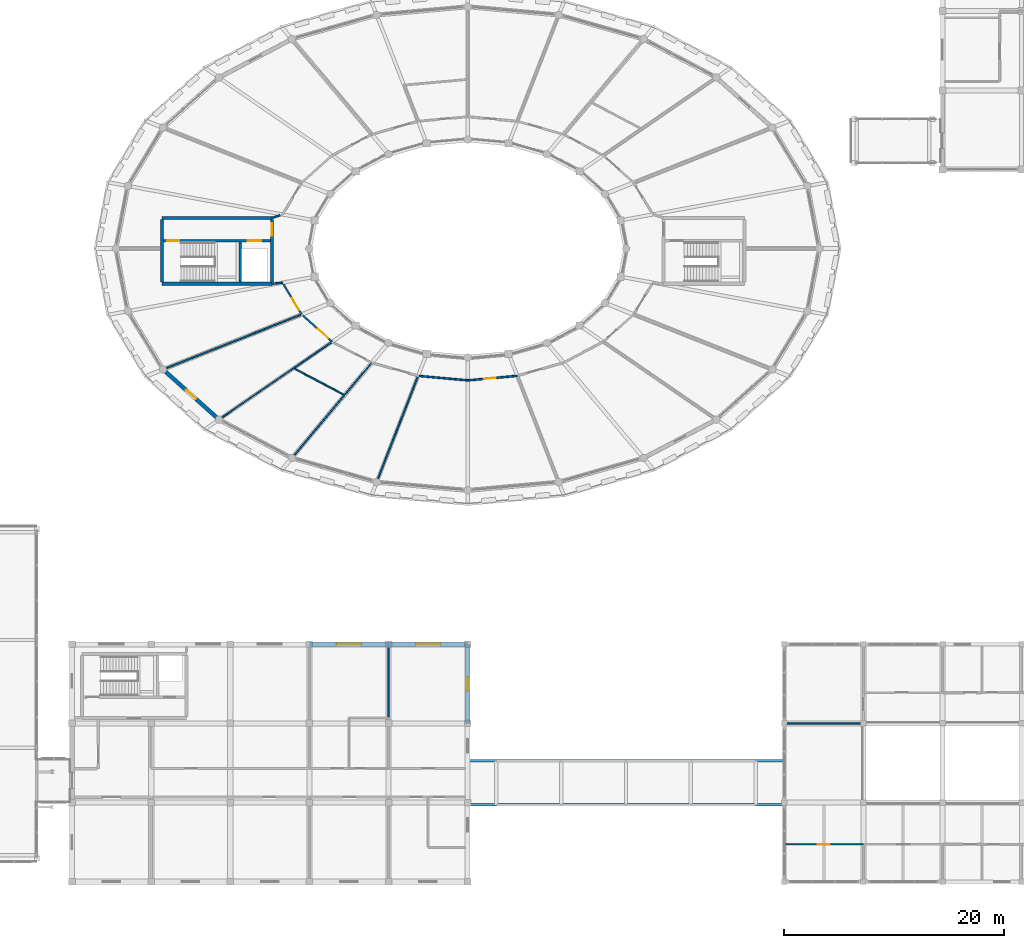
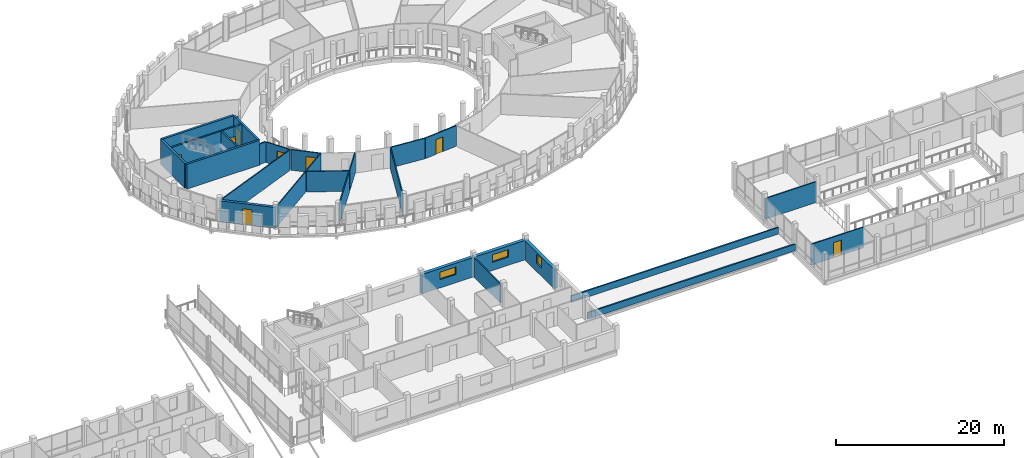
# One storey, part 111 of 128: 28 walls, 8 doors, 3 windows, 11 openings.
"""IFC4 building model written with IfcOpenShell, lengths in metres."""

from ifc_helpers import new_model, si_unit, direction, frame, frame_2d, origin, place, context, subcontext, project, spatial, rectangle, extrude, material, layer, layer_set, type_object, element, fill, save


model = new_model("IFC4")

# Units and contexts
model_context = context("Model", 3, precision=1e-05, world=origin(), true_north=direction((0.0, 1.0)))
body_context = subcontext(model_context, "Body", "Model", "MODEL_VIEW")
ifc_project = project(units=[si_unit("LENGTHUNIT", "METRE"), si_unit("AREAUNIT", "SQUARE_METRE"), si_unit("VOLUMEUNIT", "CUBIC_METRE"), si_unit("PLANEANGLEUNIT", "RADIAN"), si_unit("MASSUNIT", "GRAM", prefix="KILO")], contexts=[model_context])

# Site, building, storey
site_placement = place(None, origin())
site = spatial("IfcSite", under=ifc_project, at=site_placement, CompositionType="ELEMENT")
building_placement = place(site_placement, origin())
building = spatial("IfcBuilding", under=site, at=building_placement, Name="Zornivar Specialist Clinic", CompositionType="ELEMENT")
storey_placement = place(building_placement, frame((0.0, 0.0, 4.5)))
storey = spatial("IfcBuildingStorey", under=building, at=storey_placement, Name="L01", CompositionType="ELEMENT", Elevation=4.5)

# Wall, opening, door
ifc_material_1 = material(Name="Masonry Drum Limestone Portal Wall", Category="masonry")
ifc_layer_1 = layer(ifc_material_1, 0.35009765625)
ifc_layer_set_1 = layer_set([ifc_layer_1], Name="Masonry Drum Limestone Portal Wall")
wall_type_1 = type_object("IfcWallType", Name="EW-DRUM-350", PredefinedType="SOLIDWALL", material=ifc_layer_set_1)
wall_1_placement = place(storey_placement, frame((65.886962890625, 46.60009765625, 0.0), z_axis=(0.0, 0.0, 1.0), x_axis=(0.744835335723, -0.667248321585, 0.0)))
wall_1 = element("IfcWall", 1, at=wall_1_placement, inside=storey, type_object=wall_type_1, Name="ew:V1:L01:c14", PredefinedType="SOLIDWALL", context=body_context, shape_type="SweptSolid", body=[
    extrude(rectangle(XDim=6.828369140625, YDim=0.35009765625, at=frame_2d((3.4140625, 0.0))), origin(), (0.0, 0.0, 1.0), 3.050048828125),
])
opening_1_placement = place(wall_1_placement, frame((2.81396484375, 0.0, 0.0)))
opening_1 = element("IfcOpeningElement", 2, at=opening_1_placement, cuts=wall_1, Name="Opening BD-01", PredefinedType="OPENING", context=body_context, shape_type="SweptSolid", body=[
    extrude(rectangle(XDim=1.199951171875, YDim=2.300048828125, at=frame_2d((0.60009765625, 1.14990234375))), frame((0.0, 0.18505859375, 0.0), z_axis=(0.0, -1.0, 0.0), x_axis=(1.0, 0.0, 0.0)), (0.0, 0.0, 1.0), 0.3701171875),
])
ifc_material_2 = material(Name="Thermally Broken Glazed Aluminium Door", Category="aluminium")
door_type_1 = type_object("IfcDoorType", Name="BD-BALC-1200x2300", OperationType="NOTDEFINED", PredefinedType="DOOR", material=ifc_material_2)
door_1_placement = place(opening_1_placement, origin())
door_1 = element("IfcDoor", 3, at=door_1_placement, inside=storey, type_object=door_type_1, Name="door:V1:L01:c14", OperationType="SINGLE_SWING_RIGHT", OverallHeight=2.300048828125, OverallWidth=1.199951171875, PredefinedType="DOOR", context=body_context, shape_type="SweptSolid", body=[
    extrude(rectangle(XDim=1.199951171875, YDim=2.300048828125, at=frame_2d((0.60009765625, 1.14990234375))), frame((0.0, 0.02490234375, 0.0), z_axis=(0.0, -1.0, 0.0), x_axis=(1.0, 0.0, 0.0)), (0.0, 0.0, 1.0), 0.050048828125),
])
fill(opening_1, door_1)

# Wall, opening, window
ifc_material_3 = material(Name="Barium-shielded concrete C35/45", Category="concrete")
ifc_layer_2 = layer(ifc_material_3, 0.4599609375)
ifc_layer_set_2 = layer_set([ifc_layer_2], Name="Barium-shielded concrete C35/45")
wall_type_2 = type_object("IfcWallType", Name="EW-IMG-SHIELD-460", PredefinedType="SOLIDWALL", material=ifc_layer_set_2)
wall_2_placement = place(storey_placement, frame((93.60009765625, 14.39990234375, 0.0), z_axis=(0.0, 0.0, 1.0), x_axis=(0.0, 1.0, 0.0)))
wall_2 = element("IfcWall", 4, at=wall_2_placement, inside=storey, type_object=wall_type_2, Name="ew:V3:L01:07", PredefinedType="SOLIDWALL", context=body_context, shape_type="SweptSolid", body=[
    extrude(rectangle(XDim=7.2001953125, YDim=0.4599609375, at=frame_2d((3.60009765625, 0.0))), origin(), (0.0, 0.0, 1.0), 2.830078125),
])
opening_2_placement = place(wall_2_placement, frame((2.97509765625, 0.0, 1.199951171875)))
opening_2 = element("IfcOpeningElement", 5, at=opening_2_placement, cuts=wall_2, Name="Opening W-14", PredefinedType="OPENING", context=body_context, shape_type="SweptSolid", body=[
    extrude(rectangle(XDim=1.25, YDim=1.35009765625, at=frame_2d((0.625, 0.675048828125))), frame((0.0, 0.239990234375, 0.0), z_axis=(0.0, -1.0, 0.0), x_axis=(1.0, 0.0, 0.0)), (0.0, 0.0, 1.0), 0.47998046875),
])
ifc_material_4 = material(Name="Triple-Glazed Aluminium-Timber Window Glass", Category="wood")
window_type_1 = type_object("IfcWindowType", Name="WIN-IMG-CTRL-1250x1350", PartitioningType="SINGLE_PANEL", PredefinedType="WINDOW", material=ifc_material_4)
window_1_placement = place(opening_2_placement, origin())
window_1 = element("IfcWindow", 6, at=window_1_placement, inside=storey, type_object=window_type_1, Name="win:V3:L01:07", OverallHeight=1.35009765625, OverallWidth=1.25, PartitioningType="SINGLE_PANEL", PredefinedType="WINDOW", context=body_context, shape_type="SweptSolid", body=[
    extrude(rectangle(XDim=1.25, YDim=1.35009765625, at=frame_2d((0.625, 0.675048828125))), frame((0.0, 0.030029296875, 0.0), z_axis=(0.0, -1.0, 0.0), x_axis=(1.0, 0.0, 0.0)), (0.0, 0.0, 1.0), 0.06005859375),
])
fill(opening_2, window_1)

wall_3_placement = place(storey_placement, frame((93.60009765625, 21.60009765625, 0.0), z_axis=(0.0, 0.0, 1.0), x_axis=(-1.0, 0.0, 0.0)))
wall_3 = element("IfcWall", 7, at=wall_3_placement, inside=storey, type_object=wall_type_2, Name="ew:V3:L01:08", PredefinedType="SOLIDWALL", context=body_context, shape_type="SweptSolid", body=[
    extrude(rectangle(XDim=7.2001953125, YDim=0.4599609375, at=frame_2d((3.60009765625, 0.0))), origin(), (0.0, 0.0, 1.0), 2.830078125),
])
opening_3_placement = place(wall_3_placement, frame((2.5, 0.0, 1.199951171875)))
opening_3 = element("IfcOpeningElement", 8, at=opening_3_placement, cuts=wall_3, Name="Opening W-13", PredefinedType="OPENING", context=body_context, shape_type="SweptSolid", body=[
    extrude(rectangle(XDim=2.199951171875, YDim=1.10009765625, at=frame_2d((1.10009765625, 0.550048828125))), frame((0.0, 0.239990234375, 0.0), z_axis=(0.0, -1.0, 0.0), x_axis=(1.0, 0.0, 0.0)), (0.0, 0.0, 1.0), 0.47998046875),
])
ifc_material_5 = material(Name="Triple-Glazed Aluminium-Timber Window Glass", Category="wood")
window_type_2 = type_object("IfcWindowType", Name="WIN-IMG-CLER-2200x1100", PartitioningType="SINGLE_PANEL", PredefinedType="WINDOW", material=ifc_material_5)
window_2_placement = place(opening_3_placement, origin())
window_2 = element("IfcWindow", 9, at=window_2_placement, inside=storey, type_object=window_type_2, Name="win:V3:L01:08", OverallHeight=1.10009765625, OverallWidth=2.199951171875, PartitioningType="SINGLE_PANEL", PredefinedType="WINDOW", context=body_context, shape_type="SweptSolid", body=[
    extrude(rectangle(XDim=2.199951171875, YDim=1.10009765625, at=frame_2d((1.10009765625, 0.550048828125))), frame((0.0, 0.030029296875, 0.0), z_axis=(0.0, -1.0, 0.0), x_axis=(1.0, 0.0, 0.0)), (0.0, 0.0, 1.0), 0.06005859375),
])
fill(opening_3, window_2)

wall_4_placement = place(storey_placement, frame((86.39990234375, 21.60009765625, 0.0), z_axis=(0.0, 0.0, 1.0), x_axis=(-1.0, 0.0, 0.0)))
wall_4 = element("IfcWall", 10, at=wall_4_placement, inside=storey, type_object=wall_type_2, Name="ew:V3:L01:09", PredefinedType="SOLIDWALL", context=body_context, shape_type="SweptSolid", body=[
    extrude(rectangle(XDim=7.199951171875, YDim=0.4599609375, at=frame_2d((3.60009765625, 0.0))), origin(), (0.0, 0.0, 1.0), 2.830078125),
])
opening_4_placement = place(wall_4_placement, frame((2.5, 0.0, 1.199951171875)))
opening_4 = element("IfcOpeningElement", 11, at=opening_4_placement, cuts=wall_4, Name="Opening W-13", PredefinedType="OPENING", context=body_context, shape_type="SweptSolid", body=[
    extrude(rectangle(XDim=2.199951171875, YDim=1.10009765625, at=frame_2d((1.10009765625, 0.550048828125))), frame((0.0, 0.239990234375, 0.0), z_axis=(0.0, -1.0, 0.0), x_axis=(1.0, 0.0, 0.0)), (0.0, 0.0, 1.0), 0.47998046875),
])
window_3_placement = place(opening_4_placement, origin())
window_3 = element("IfcWindow", 12, at=window_3_placement, inside=storey, type_object=window_type_2, Name="win:V3:L01:09", OverallHeight=1.10009765625, OverallWidth=2.199951171875, PartitioningType="SINGLE_PANEL", PredefinedType="WINDOW", context=body_context, shape_type="SweptSolid", body=[
    extrude(rectangle(XDim=2.199951171875, YDim=1.10009765625, at=frame_2d((1.10009765625, 0.550048828125))), frame((0.0, 0.030029296875, 0.0), z_axis=(0.0, -1.0, 0.0), x_axis=(1.0, 0.0, 0.0)), (0.0, 0.0, 1.0), 0.06005859375),
])
fill(opening_4, window_3)

# Walls
ifc_material_6 = material(Name="Acoustic Clinical Stud Partition")
ifc_layer_3 = layer(ifc_material_6, 0.139892578125)
ifc_layer_set_3 = layer_set([ifc_layer_3], Name="Acoustic Clinical Stud Partition")
wall_type_3 = type_object("IfcWallType", Name="IW-CLIN-140", PredefinedType="PARTITIONING", material=ifc_layer_set_3)
wall_5_placement = place(storey_placement, frame((78.39697265625, 51.56591796875, 0.0), z_axis=(0.0, 0.0, 1.0), x_axis=(-0.929449560743, -0.368949202513, 0.0)))
element("IfcWall", 13, at=wall_5_placement, inside=storey, type_object=wall_type_3, Name="iw:L01:029", PredefinedType="PARTITIONING", context=body_context, shape_type="SweptSolid", body=[
    extrude(rectangle(XDim=13.10986328125, YDim=0.139892578125, at=frame_2d((6.554931640625, 0.0))), origin(), (0.0, 0.0, 1.0), 2.989990234375),
])
wall_6_placement = place(storey_placement, frame((77.824951171875, 38.81494140625, 0.0), z_axis=(0.0, 0.0, 1.0), x_axis=(0.64302013007, 0.765849275201, 0.0)))
element("IfcWall", 14, at=wall_6_placement, inside=storey, type_object=wall_type_3, Name="iw:L01:036", PredefinedType="PARTITIONING", context=body_context, shape_type="SweptSolid", body=[
    extrude(rectangle(XDim=7.0263671875, YDim=0.139892578125, at=frame_2d((3.51318359375, 0.0))), origin(), (0.0, 0.0, 1.0), 2.989990234375),
])
wall_7_placement = place(storey_placement, frame((89.049072265625, 45.925048828125, 0.0), z_axis=(0.0, 0.0, 1.0), x_axis=(-0.363072859719, -0.931760751768, 0.0)))
element("IfcWall", 15, at=wall_7_placement, inside=storey, type_object=wall_type_3, Name="iw:L01:038", PredefinedType="PARTITIONING", context=body_context, shape_type="SweptSolid", body=[
    extrude(rectangle(XDim=9.926513671875, YDim=0.139892578125, at=frame_2d((4.96337890625, 0.0))), origin(), (0.0, 0.0, 1.0), 2.989990234375),
])
wall_8_placement = place(storey_placement, frame((86.39990234375, 21.35498046875, 0.0), z_axis=(0.0, 0.0, 1.0), x_axis=(0.0, -1.0, 0.0)))
element("IfcWall", 16, at=wall_8_placement, inside=storey, type_object=wall_type_3, Name="iw:L01:109", PredefinedType="PARTITIONING", context=body_context, shape_type="SweptSolid", body=[
    extrude(rectangle(XDim=6.3759765625, YDim=0.139892578125, at=frame_2d((3.18798828125, 0.0))), origin(), (0.0, 0.0, 1.0), 2.81005859375),
])
wall_9_placement = place(storey_placement, frame((129.506103515625, 14.39990234375, 0.0), z_axis=(0.0, 0.0, 1.0), x_axis=(-1.0, 0.0, 0.0)))
element("IfcWall", 17, at=wall_9_placement, inside=storey, type_object=wall_type_3, Name="iw:L01:119", PredefinedType="PARTITIONING", context=body_context, shape_type="SweptSolid", body=[
    extrude(rectangle(XDim=7.106201171875, YDim=0.139892578125, at=frame_2d((3.55322265625, 0.0))), origin(), (0.0, 0.0, 1.0), 3.030029296875),
])
ifc_material_7 = material(Name="Gypsum Fire-Rated Double Stud Partition")
ifc_layer_4 = layer(ifc_material_7, 0.159912109375)
ifc_layer_set_4 = layer_set([ifc_layer_4], Name="Gypsum Fire-Rated Double Stud Partition")
wall_type_4 = type_object("IfcWallType", Name="IW-CORR-EI60-160", PredefinedType="PARTITIONING", material=ifc_layer_set_4)
wall_10_placement = place(storey_placement, frame((76.531982421875, 60.632080078125, 0.0), z_axis=(0.0, 0.0, 1.0), x_axis=(-0.953192648892, -0.302363645463, 0.0)))
element("IfcWall", 18, at=wall_10_placement, inside=storey, type_object=wall_type_4, Name="iw:L01:026", PredefinedType="PARTITIONING", context=body_context, shape_type="SweptSolid", body=[
    extrude(rectangle(XDim=0.767822265625, YDim=0.159912109375, at=frame_2d((0.3837890625, 0.0))), origin(), (0.0, 0.0, 1.0), 2.989990234375),
])
wall_11_placement = place(storey_placement, frame((75.800048828125, 54.39990234375, 0.0), z_axis=(0.0, 0.0, 1.0), x_axis=(0.994851446462, 0.101343966136, 0.0)))
element("IfcWall", 19, at=wall_11_placement, inside=storey, type_object=wall_type_4, Name="iw:L01:027", PredefinedType="PARTITIONING", context=body_context, shape_type="SweptSolid", body=[
    extrude(rectangle(XDim=0.958740234375, YDim=0.159912109375, at=frame_2d((0.4794921875, 0.0))), origin(), (0.0, 0.0, 1.0), 2.989990234375),
])

# Wall, opening, door
wall_12_placement = place(storey_placement, frame((76.826904296875, 54.3759765625, 0.0), z_axis=(0.0, 0.0, 1.0), x_axis=(0.515993285702, -0.85659262728, 0.0)))
wall_12 = element("IfcWall", 20, at=wall_12_placement, inside=storey, type_object=wall_type_4, Name="iw:L01:028", PredefinedType="PARTITIONING", context=body_context, shape_type="SweptSolid", body=[
    extrude(rectangle(XDim=3.23486328125, YDim=0.159912109375, at=frame_2d((1.617431640625, 0.0))), origin(), (0.0, 0.0, 1.0), 2.989990234375),
])
opening_5_placement = place(wall_12_placement, frame((1.5048828125, 0.0, 0.0)))
opening_5 = element("IfcOpeningElement", 21, at=opening_5_placement, cuts=wall_12, Name="Opening FD-06", PredefinedType="OPENING", context=body_context, shape_type="SweptSolid", body=[
    extrude(rectangle(XDim=1.25, YDim=2.199951171875, at=frame_2d((0.625, 1.10009765625))), frame((0.0, 0.08984375, 0.0), z_axis=(0.0, -1.0, 0.0), x_axis=(1.0, 0.0, 0.0)), (0.0, 0.0, 1.0), 0.179931640625),
])
ifc_material_8 = material(Name="Solid-Core Hygienic Laminate Timber Door", Category="wood")
door_type_2 = type_object("IfcDoorType", Name="FD-PHARM-GMP-1250x2200", OperationType="NOTDEFINED", PredefinedType="DOOR", material=ifc_material_8)
door_2_placement = place(opening_5_placement, origin())
door_2 = element("IfcDoor", 22, at=door_2_placement, inside=storey, type_object=door_type_2, Name="door:space:V1:L01:rm:10", OperationType="SINGLE_SWING_LEFT", OverallHeight=2.199951171875, OverallWidth=1.25, PredefinedType="DOOR", context=body_context, shape_type="SweptSolid", body=[
    extrude(rectangle(XDim=1.25, YDim=2.199951171875, at=frame_2d((0.625, 1.10009765625))), frame((0.0, 0.02490234375, 0.0), z_axis=(0.0, -1.0, 0.0), x_axis=(1.0, 0.0, 0.0)), (0.0, 0.0, 1.0), 0.050048828125),
])
fill(opening_5, door_2)

wall_13_placement = place(storey_placement, frame((78.595947265625, 51.51611328125, 0.0), z_axis=(0.0, 0.0, 1.0), x_axis=(0.744797991907, -0.667290005358, 0.0)))
wall_13 = element("IfcWall", 23, at=wall_13_placement, inside=storey, type_object=wall_type_4, Name="iw:L01:030", PredefinedType="PARTITIONING", context=body_context, shape_type="SweptSolid", body=[
    extrude(rectangle(XDim=3.587646484375, YDim=0.159912109375, at=frame_2d((1.7939453125, 0.0))), origin(), (0.0, 0.0, 1.0), 2.989990234375),
])
opening_6_placement = place(wall_13_placement, frame((1.80810546875, 0.0, 0.0)))
opening_6 = element("IfcOpeningElement", 24, at=opening_6_placement, cuts=wall_13, Name="Opening ID-13", PredefinedType="OPENING", context=body_context, shape_type="SweptSolid", body=[
    extrude(rectangle(XDim=1.300048828125, YDim=2.25, at=frame_2d((0.64990234375, 1.125))), frame((0.0, 0.08984375, 0.0), z_axis=(0.0, -1.0, 0.0), x_axis=(1.0, 0.0, 0.0)), (0.0, 0.0, 1.0), 0.179931640625),
])
ifc_material_9 = material(Name="Solid-Core Hygienic Laminate Timber Door", Category="wood")
door_type_3 = type_object("IfcDoorType", Name="ID-RECOV-1300x2250", OperationType="NOTDEFINED", PredefinedType="DOOR", material=ifc_material_9)
door_3_placement = place(opening_6_placement, origin())
door_3 = element("IfcDoor", 25, at=door_3_placement, inside=storey, type_object=door_type_3, Name="door:space:V1:L01:rm:11", OperationType="SINGLE_SWING_RIGHT", OverallHeight=2.25, OverallWidth=1.300048828125, PredefinedType="DOOR", context=body_context, shape_type="SweptSolid", body=[
    extrude(rectangle(XDim=1.300048828125, YDim=2.25, at=frame_2d((0.64990234375, 1.125))), frame((0.0, 0.02490234375, 0.0), z_axis=(0.0, -1.0, 0.0), x_axis=(1.0, 0.0, 0.0)), (0.0, 0.0, 1.0), 0.050048828125),
])
fill(opening_6, door_3)

wall_14_placement = place(storey_placement, frame((93.60009765625, 45.610107421875, 0.0), z_axis=(0.0, 0.0, 1.0), x_axis=(0.995921415334, 0.090224910524, 0.0)))
wall_14 = element("IfcWall", 26, at=wall_14_placement, inside=storey, type_object=wall_type_4, Name="iw:L01:039", PredefinedType="PARTITIONING", context=body_context, shape_type="SweptSolid", body=[
    extrude(rectangle(XDim=4.532470703125, YDim=0.159912109375, at=frame_2d((2.26611328125, 0.0))), origin(), (0.0, 0.0, 1.0), 2.989990234375),
])
opening_7_placement = place(wall_14_placement, frame((1.531005859375, 0.0, 0.0)))
opening_7 = element("IfcOpeningElement", 27, at=opening_7_placement, cuts=wall_14, Name="Opening ID-03", PredefinedType="OPENING", context=body_context, shape_type="SweptSolid", body=[
    extrude(rectangle(XDim=1.050048828125, YDim=2.14990234375, at=frame_2d((0.52490234375, 1.074951171875))), frame((0.0, 0.08984375, 0.0), z_axis=(0.0, -1.0, 0.0), x_axis=(1.0, 0.0, 0.0)), (0.0, 0.0, 1.0), 0.179931640625),
])
ifc_material_10 = material(Name="Solid-Core Hygienic Laminate Timber Door", Category="wood")
door_type_4 = type_object("IfcDoorType", Name="ID-CONS-1050x2150", OperationType="NOTDEFINED", PredefinedType="DOOR", material=ifc_material_10)
door_4_placement = place(opening_7_placement, origin())
door_4 = element("IfcDoor", 28, at=door_4_placement, inside=storey, type_object=door_type_4, Name="door:space:V1:L01:rm:14", OperationType="SINGLE_SWING_LEFT", OverallHeight=2.14990234375, OverallWidth=1.050048828125, PredefinedType="DOOR", context=body_context, shape_type="SweptSolid", body=[
    extrude(rectangle(XDim=1.050048828125, YDim=2.14990234375, at=frame_2d((0.52490234375, 1.074951171875))), frame((0.0, 0.02490234375, 0.0), z_axis=(0.0, -1.0, 0.0), x_axis=(1.0, 0.0, 0.0)), (0.0, 0.0, 1.0), 0.050048828125),
])
fill(opening_7, door_4)

# Wall
wall_15_placement = place(storey_placement, frame((89.196044921875, 46.009033203125, 0.0), z_axis=(0.0, 0.0, 1.0), x_axis=(0.995919936694, -0.090241230575, 0.0)))
element("IfcWall", 29, at=wall_15_placement, inside=storey, type_object=wall_type_4, Name="iw:L01:041", PredefinedType="PARTITIONING", context=body_context, shape_type="SweptSolid", body=[
    extrude(rectangle(XDim=4.409912109375, YDim=0.159912109375, at=frame_2d((2.205078125, 0.0))), origin(), (0.0, 0.0, 1.0), 2.989990234375),
])

# Wall, opening, door
wall_16_placement = place(storey_placement, frame((122.39990234375, 3.39990234375, 0.0), z_axis=(0.0, 0.0, 1.0), x_axis=(1.0, 0.0, 0.0)))
wall_16 = element("IfcWall", 30, at=wall_16_placement, inside=storey, type_object=wall_type_4, Name="iw:L01:115", PredefinedType="PARTITIONING", context=body_context, shape_type="SweptSolid", body=[
    extrude(rectangle(XDim=7.2001953125, YDim=0.159912109375, at=frame_2d((3.60009765625, 0.0))), origin(), (0.0, 0.0, 1.0), 3.030029296875),
])
opening_8_placement = place(wall_16_placement, frame((3.050048828125, 0.0, 0.0)))
opening_8 = element("IfcOpeningElement", 31, at=opening_8_placement, cuts=wall_16, Name="Opening ID-05", PredefinedType="OPENING", context=body_context, shape_type="SweptSolid", body=[
    extrude(rectangle(XDim=1.10009765625, YDim=2.199951171875, at=frame_2d((0.550048828125, 1.10009765625))), frame((0.0, 0.08984375, 0.0), z_axis=(0.0, -1.0, 0.0), x_axis=(1.0, 0.0, 0.0)), (0.0, 0.0, 1.0), 0.179931640625),
])
ifc_material_11 = material(Name="Solid-Core Hygienic Laminate Timber Door", Category="wood")
door_type_5 = type_object("IfcDoorType", Name="ID-THER-1100x2200", OperationType="NOTDEFINED", PredefinedType="DOOR", material=ifc_material_11)
door_5_placement = place(opening_8_placement, origin())
door_5 = element("IfcDoor", 32, at=door_5_placement, inside=storey, type_object=door_type_5, Name="door:space:V4:L01:rm:00", OperationType="SINGLE_SWING_RIGHT", OverallHeight=2.199951171875, OverallWidth=1.10009765625, PredefinedType="DOOR", context=body_context, shape_type="SweptSolid", body=[
    extrude(rectangle(XDim=1.10009765625, YDim=2.199951171875, at=frame_2d((0.550048828125, 1.10009765625))), frame((0.0, 0.02490234375, 0.0), z_axis=(0.0, -1.0, 0.0), x_axis=(1.0, 0.0, 0.0)), (0.0, 0.0, 1.0), 0.050048828125),
])
fill(opening_8, door_5)

# Walls
ifc_material_12 = material(Name="Acoustic Glazed Consultation Partition")
ifc_layer_5 = layer(ifc_material_12, 0.1201171875)
ifc_layer_set_5 = layer_set([ifc_layer_5], Name="Acoustic Glazed Consultation Partition")
wall_type_5 = type_object("IfcWallType", Name="IW-GLAZ-120", PredefinedType="PARTITIONING", material=ifc_layer_set_5)
wall_17_placement = place(storey_placement, frame((77.757080078125, 46.7080078125, 0.0), z_axis=(0.0, 0.0, 1.0), x_axis=(-0.824041924199, -0.566528822887, 0.0)))
element("IfcWall", 33, at=wall_17_placement, inside=storey, type_object=wall_type_5, Name="iw:L01:032", PredefinedType="PARTITIONING", context=body_context, shape_type="SweptSolid", body=[
    extrude(rectangle(XDim=7.88330078125, YDim=0.1201171875, at=frame_2d((3.941650390625, 0.0))), origin(), (0.0, 0.0, 1.0), 2.989990234375),
])
ifc_material_13 = material(Name="Moisture-Resistant Sanitary Partition")
ifc_layer_6 = layer(ifc_material_13, 0.1298828125)
ifc_layer_set_6 = layer_set([ifc_layer_6], Name="Moisture-Resistant Sanitary Partition")
wall_type_6 = type_object("IfcWallType", Name="IW-WET-130", PredefinedType="PARTITIONING", material=ifc_layer_set_6)
wall_18_placement = place(storey_placement, frame((81.175048828125, 49.05810546875, 0.0), z_axis=(0.0, 0.0, 1.0), x_axis=(-0.824036756851, -0.566536338957, 0.0)))
element("IfcWall", 34, at=wall_18_placement, inside=storey, type_object=wall_type_6, Name="iw:L01:031", PredefinedType="PARTITIONING", context=body_context, shape_type="SweptSolid", body=[
    extrude(rectangle(XDim=4.1357421875, YDim=0.1298828125, at=frame_2d((2.06787109375, 0.0))), origin(), (0.0, 0.0, 1.0), 2.989990234375),
])
wall_19_placement = place(storey_placement, frame((82.405029296875, 44.26904296875, 0.0), z_axis=(0.0, 0.0, 1.0), x_axis=(-0.884536185401, 0.466471581895, 0.0)))
element("IfcWall", 35, at=wall_19_placement, inside=storey, type_object=wall_type_6, Name="iw:L01:033", PredefinedType="PARTITIONING", context=body_context, shape_type="SweptSolid", body=[
    extrude(rectangle(XDim=5.119140625, YDim=0.1298828125, at=frame_2d((2.5595703125, 0.0))), origin(), (0.0, 0.0, 1.0), 2.989990234375),
])
wall_20_placement = place(storey_placement, frame((84.819091796875, 47.14306640625, 0.0), z_axis=(0.0, 0.0, 1.0), x_axis=(-0.643218693498, -0.765682514059, 0.0)))
element("IfcWall", 36, at=wall_20_placement, inside=storey, type_object=wall_type_6, Name="iw:L01:035", PredefinedType="PARTITIONING", context=body_context, shape_type="SweptSolid", body=[
    extrude(rectangle(XDim=3.658203125, YDim=0.1298828125, at=frame_2d((1.8291015625, 0.0))), origin(), (0.0, 0.0, 1.0), 2.989990234375),
])
ifc_material_14 = material(Name="Masonry Zinc-Capped Bridge Parapet", Category="masonry")
ifc_layer_7 = layer(ifc_material_14, 0.199951171875)
ifc_layer_set_7 = layer_set([ifc_layer_7], Name="Masonry Zinc-Capped Bridge Parapet")
wall_type_7 = type_object("IfcWallType", Name="PW-PARAPET-200", PredefinedType="PARAPET", material=ifc_layer_set_7)
for number, where, z_axis, x_axis, name in (
    (37, (93.719970703125, 7.0, 0.0), (0.0, 0.0, 1.0), (1.0, 0.0, 0.0), "pw:BR4:L01:0"),
    (38, (122.280029296875, 11.0, 0.0), (0.0, 0.0, 1.0), (-1.0, 0.0, 0.0), "pw:BR4:L01:2"),
):
    element("IfcWall", number, at=place(storey_placement, frame(where, z_axis=z_axis, x_axis=x_axis)), inside=storey, type_object=wall_type_7, Name=name, PredefinedType="PARAPET", context=body_context, shape_type="SweptSolid", body=[
        extrude(rectangle(XDim=28.56005859375, YDim=0.199951171875, at=frame_2d((14.280029296875, 0.0))), origin(), (0.0, 0.0, 1.0), 0.949951171875),
    ])
ifc_material_15 = material(Name="Concrete C35/45", Category="concrete")
ifc_layer_8 = layer(ifc_material_15, 0.280029296875)
ifc_layer_set_8 = layer_set([ifc_layer_8], Name="Concrete C35/45")
wall_type_8 = type_object("IfcWallType", Name="SW-CORE-280", PredefinedType="SHEAR", material=ifc_layer_set_8)
wall_21_placement = place(storey_placement, frame((65.800048828125, 54.39990234375, 0.0), z_axis=(0.0, 0.0, 1.0), x_axis=(1.0, 0.0, 0.0)))
element("IfcWall", 39, at=wall_21_placement, inside=storey, type_object=wall_type_8, Name="sw:C3:L01:w0", PredefinedType="SHEAR", context=body_context, shape_type="SweptSolid", body=[
    extrude(rectangle(XDim=10.0, YDim=0.280029296875, at=frame_2d((5.0, 0.0))), origin(), (0.0, 0.0, 1.0), 3.610107421875),
])

# Wall, opening, door
wall_22_placement = place(storey_placement, frame((75.800048828125, 54.5400390625, 0.0), z_axis=(0.0, 0.0, 1.0), x_axis=(0.0, 1.0, 0.0)))
wall_22 = element("IfcWall", 40, at=wall_22_placement, inside=storey, type_object=wall_type_8, Name="sw:C3:L01:w1", PredefinedType="SHEAR", context=body_context, shape_type="SweptSolid", body=[
    extrude(rectangle(XDim=5.719970703125, YDim=0.280029296875, at=frame_2d((2.85986328125, 0.0))), origin(), (0.0, 0.0, 1.0), 3.610107421875),
])
opening_9_placement = place(wall_22_placement, frame((4.22509765625, 0.0, 0.0)))
opening_9 = element("IfcOpeningElement", 41, at=opening_9_placement, cuts=wall_22, Name="Opening FD-03", PredefinedType="OPENING", context=body_context, shape_type="SweptSolid", body=[
    extrude(rectangle(XDim=1.14990234375, YDim=2.199951171875, at=frame_2d((0.574951171875, 1.10009765625))), frame((0.0, 0.14990234375, 0.0), z_axis=(0.0, -1.0, 0.0), x_axis=(1.0, 0.0, 0.0)), (0.0, 0.0, 1.0), 0.300048828125),
])
ifc_material_16 = material(Name="Solid-Core Hygienic Laminate Timber Door", Category="wood")
door_type_6 = type_object("IfcDoorType", Name="FD-LOBBY-UPPER-1150x2200", OperationType="NOTDEFINED", PredefinedType="DOOR", material=ifc_material_16)
door_6_placement = place(opening_9_placement, origin())
door_6 = element("IfcDoor", 42, at=door_6_placement, inside=storey, type_object=door_type_6, Name="door:C3:L01:lob", OperationType="SINGLE_SWING_RIGHT", OverallHeight=2.199951171875, OverallWidth=1.14990234375, PredefinedType="DOOR", context=body_context, shape_type="SweptSolid", body=[
    extrude(rectangle(XDim=1.14990234375, YDim=2.199951171875, at=frame_2d((0.574951171875, 1.10009765625))), frame((0.0, 0.02490234375, 0.0), z_axis=(0.0, -1.0, 0.0), x_axis=(1.0, 0.0, 0.0)), (0.0, 0.0, 1.0), 0.050048828125),
])
fill(opening_9, door_6)

# Walls
wall_23_placement = place(storey_placement, frame((75.800048828125, 60.39990234375, 0.0), z_axis=(0.0, 0.0, 1.0), x_axis=(-1.0, 0.0, 0.0)))
element("IfcWall", 43, at=wall_23_placement, inside=storey, type_object=wall_type_8, Name="sw:C3:L01:w2", PredefinedType="SHEAR", context=body_context, shape_type="SweptSolid", body=[
    extrude(rectangle(XDim=10.0, YDim=0.280029296875, at=frame_2d((5.0, 0.0))), origin(), (0.0, 0.0, 1.0), 3.610107421875),
])
wall_24_placement = place(storey_placement, frame((65.800048828125, 60.260009765625, 0.0), z_axis=(0.0, 0.0, 1.0), x_axis=(0.0, -1.0, 0.0)))
element("IfcWall", 44, at=wall_24_placement, inside=storey, type_object=wall_type_8, Name="sw:C3:L01:w3", PredefinedType="SHEAR", context=body_context, shape_type="SweptSolid", body=[
    extrude(rectangle(XDim=5.719970703125, YDim=0.280029296875, at=frame_2d((2.85986328125, 0.0))), origin(), (0.0, 0.0, 1.0), 3.610107421875),
])
ifc_material_17 = material(Name="Concrete C30/37", Category="concrete")
ifc_layer_9 = layer(ifc_material_17, 0.199951171875)
ifc_layer_set_9 = layer_set([ifc_layer_9], Name="Concrete C30/37")
wall_type_9 = type_object("IfcWallType", Name="SW-LIFT-200", PredefinedType="SHEAR", material=ifc_layer_set_9)
wall_25_placement = place(storey_placement, frame((72.89990234375, 54.5400390625, 0.0), z_axis=(0.0, 0.0, 1.0), x_axis=(0.0, 1.0, 0.0)))
element("IfcWall", 45, at=wall_25_placement, inside=storey, type_object=wall_type_9, Name="sw:C3:L01:sdiv", PredefinedType="SHEAR", context=body_context, shape_type="SweptSolid", body=[
    extrude(rectangle(XDim=3.659912109375, YDim=0.199951171875, at=frame_2d((1.830078125, 0.0))), origin(), (0.0, 0.0, 1.0), 3.610107421875),
])

# Wall, openings, doors
ifc_material_18 = material(Name="Concrete C30/37", Category="concrete")
ifc_layer_10 = layer(ifc_material_18, 0.219970703125)
ifc_layer_set_10 = layer_set([ifc_layer_10], Name="Concrete C30/37")
wall_type_10 = type_object("IfcWallType", Name="SW-SHAFT-220", PredefinedType="SHEAR", material=ifc_layer_set_10)
wall_26_placement = place(storey_placement, frame((65.93994140625, 58.31005859375, 0.0), z_axis=(0.0, 0.0, 1.0), x_axis=(1.0, 0.0, 0.0)))
wall_26 = element("IfcWall", 46, at=wall_26_placement, inside=storey, type_object=wall_type_10, Name="sw:C3:L01:stwall", PredefinedType="SHEAR", context=body_context, shape_type="SweptSolid", body=[
    extrude(rectangle(XDim=9.719970703125, YDim=0.219970703125, at=frame_2d((4.85986328125, 0.0))), origin(), (0.0, 0.0, 1.0), 3.610107421875),
])
opening_10_placement = place(wall_26_placement, frame((0.31005859375, 0.0, 0.0)))
opening_10 = element("IfcOpeningElement", 47, at=opening_10_placement, cuts=wall_26, Name="Opening FD-02", PredefinedType="OPENING", context=body_context, shape_type="SweptSolid", body=[
    extrude(rectangle(XDim=1.10009765625, YDim=2.14990234375, at=frame_2d((0.550048828125, 1.074951171875))), frame((0.0, 0.119873046875, 0.0), z_axis=(0.0, -1.0, 0.0), x_axis=(1.0, 0.0, 0.0)), (0.0, 0.0, 1.0), 0.239990234375),
])
opening_11_placement = place(wall_26_placement, frame((7.659912109375, 0.0, 0.0)))
opening_11 = element("IfcOpeningElement", 48, at=opening_11_placement, cuts=wall_26, Name="Opening LD-01", PredefinedType="OPENING", context=body_context, shape_type="SweptSolid", body=[
    extrude(rectangle(XDim=1.199951171875, YDim=2.199951171875, at=frame_2d((0.60009765625, 1.10009765625))), frame((0.0, 0.119873046875, 0.0), z_axis=(0.0, -1.0, 0.0), x_axis=(1.0, 0.0, 0.0)), (0.0, 0.0, 1.0), 0.239990234375),
])
ifc_material_19 = material(Name="Solid-Core Hygienic Laminate Timber Door", Category="wood")
door_type_7 = type_object("IfcDoorType", Name="FD-STAIR-1100x2150", OperationType="NOTDEFINED", PredefinedType="DOOR", material=ifc_material_19)
door_7_placement = place(opening_10_placement, origin())
door_7 = element("IfcDoor", 49, at=door_7_placement, inside=storey, type_object=door_type_7, Name="door:C3:L01:stair", OperationType="SINGLE_SWING_LEFT", OverallHeight=2.14990234375, OverallWidth=1.10009765625, PredefinedType="DOOR", context=body_context, shape_type="SweptSolid", body=[
    extrude(rectangle(XDim=1.10009765625, YDim=2.14990234375, at=frame_2d((0.550048828125, 1.074951171875))), frame((0.0, 0.02490234375, 0.0), z_axis=(0.0, -1.0, 0.0), x_axis=(1.0, 0.0, 0.0)), (0.0, 0.0, 1.0), 0.050048828125),
])
fill(opening_10, door_7)
ifc_material_20 = material(Name="Stainless Steel Lift Landing Sliding Door", Category="steel")
door_type_8 = type_object("IfcDoorType", Name="LD-LIFT-1200x2200", OperationType="NOTDEFINED", PredefinedType="DOOR", material=ifc_material_20)
door_8_placement = place(opening_11_placement, origin())
door_8 = element("IfcDoor", 50, at=door_8_placement, inside=storey, type_object=door_type_8, Name="door:C3:L01:lift", OperationType="DOUBLE_DOOR_SLIDING", OverallHeight=2.199951171875, OverallWidth=1.199951171875, PredefinedType="DOOR", context=body_context, shape_type="SweptSolid", body=[
    extrude(rectangle(XDim=1.199951171875, YDim=2.199951171875, at=frame_2d((0.60009765625, 1.10009765625))), frame((0.0, 0.02490234375, 0.0), z_axis=(0.0, -1.0, 0.0), x_axis=(1.0, 0.0, 0.0)), (0.0, 0.0, 1.0), 0.050048828125),
])
fill(opening_11, door_8)

save(model, "model.ifc")
